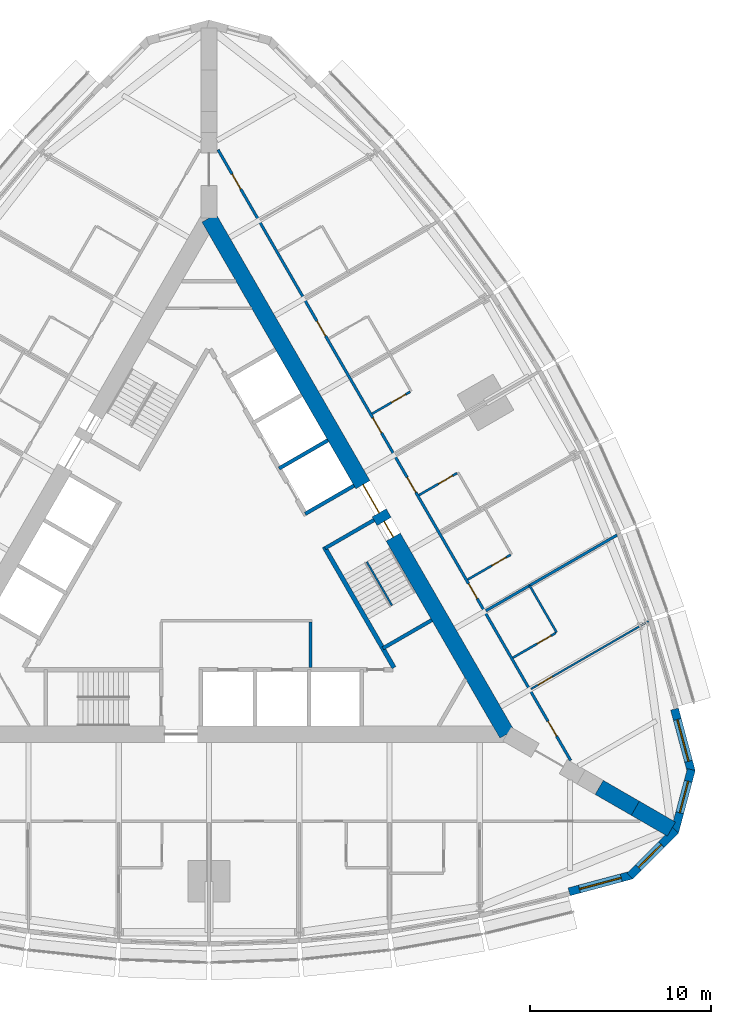
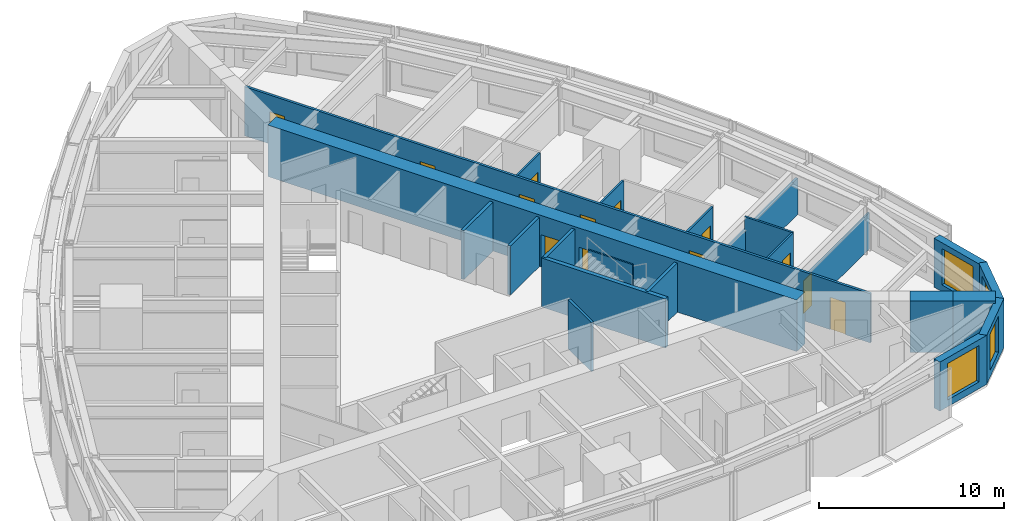
# One storey, part 11 of 14: 22 walls, 13 doors, 4 windows, 17 openings.
"""IFC4 building model written with IfcOpenShell, lengths in metres."""

from ifc_helpers import new_model, si_unit, direction, frame, frame_2d, origin, place, context, subcontext, project, spatial, polyline, rectangle, outline, extrude, material, layer, layer_set, type_object, element, fill, save


model = new_model("IFC4")

# Units and contexts
model_context = context("Model", 3, precision=1e-05, world=origin(), true_north=direction((0.0, 1.0)))
body_context = subcontext(model_context, "Body", "Model", "MODEL_VIEW")
ifc_project = project(units=[si_unit("LENGTHUNIT", "METRE"), si_unit("AREAUNIT", "SQUARE_METRE"), si_unit("VOLUMEUNIT", "CUBIC_METRE"), si_unit("PLANEANGLEUNIT", "RADIAN"), si_unit("MASSUNIT", "GRAM", prefix="KILO")], contexts=[model_context])

# Site, building, storey
site_placement = place(None, origin())
site = spatial("IfcSite", under=ifc_project, at=site_placement, CompositionType="ELEMENT")
building_placement = place(site_placement, origin())
building = spatial("IfcBuilding", under=site, at=building_placement, Name="Trikona Tower", CompositionType="ELEMENT")
storey_placement = place(building_placement, frame((0.0, 0.0, 141.89990234375)))
storey = spatial("IfcBuildingStorey", under=building, at=storey_placement, Name="L37", CompositionType="ELEMENT", Elevation=141.89990234375)

# Wall
ifc_material_1 = material(Name="Metal stud and cement board", Category="gypsum")
ifc_layer_1 = layer(ifc_material_1, 0.1201171875)
ifc_layer_set_1 = layer_set([ifc_layer_1], Name="Bathroom wall 120")
wall_type_1 = type_object("IfcWallType", Name="Bathroom wall 120", PredefinedType="PLUMBINGWALL", material=ifc_layer_set_1)
wall_1_placement = place(storey_placement, frame((19.25341796875, -3.895263671875, 0.0), z_axis=(0.0, 0.0, 1.0), x_axis=(-0.499990139034, 0.866031096941, 0.0)))
element("IfcWall", 1, at=wall_1_placement, inside=storey, type_object=wall_type_1, Name="Bathroom wall 3705.1", PredefinedType="PLUMBINGWALL", context=body_context, shape_type="SweptSolid", body=[
    extrude(rectangle(XDim=3.0, YDim=0.1201171875, at=frame_2d((1.5, 0.0))), origin(), (0.0, 0.0, 1.0), 3.235107421875),
])

# Wall, opening, door
wall_2_placement = place(storey_placement, frame((16.82861328125, -5.295166015625, 0.0), z_axis=(0.0, 0.0, 1.0), x_axis=(0.866035715982, 0.499982138324, 0.0)))
wall_2 = element("IfcWall", 2, at=wall_2_placement, inside=storey, type_object=wall_type_1, Name="Bathroom wall 3705.1", PredefinedType="PLUMBINGWALL", context=body_context, shape_type="SweptSolid", body=[
    extrude(rectangle(XDim=2.73974609375, YDim=0.1201171875, at=frame_2d((1.369873046875, 0.0))), origin(), (0.0, 0.0, 1.0), 3.235107421875),
])
opening_1_placement = place(wall_2_placement, frame((1.550048828125, 0.0, 0.0)))
opening_1 = element("IfcOpeningElement", 3, at=opening_1_placement, cuts=wall_2, Name="Opening D2", PredefinedType="OPENING", context=body_context, shape_type="SweptSolid", body=[
    extrude(rectangle(XDim=0.89990234375, YDim=2.1298828125, at=frame_2d((0.449951171875, 1.06494140625))), frame((0.0, 0.070068359375, 0.0), z_axis=(0.0, -1.0, 0.0), x_axis=(1.0, 0.0, 0.0)), (0.0, 0.0, 1.0), 0.14013671875),
])
ifc_material_2 = material(Name="Steel door frame with solid-core timber leaf", Category="steel")
door_type_1 = type_object("IfcDoorType", Name="Bathroom door 900x2130", OperationType="SLIDING_TO_LEFT", PredefinedType="DOOR", material=ifc_material_2)
door_1_placement = place(opening_1_placement, origin())
door_1 = element("IfcDoor", 4, at=door_1_placement, inside=storey, type_object=door_type_1, Name="Bathroom door 3705.1", OperationType="SLIDING_TO_LEFT", OverallHeight=2.1298828125, OverallWidth=0.89990234375, PredefinedType="DOOR", context=body_context, shape_type="SweptSolid", body=[
    extrude(rectangle(XDim=0.89990234375, YDim=2.1298828125, at=frame_2d((0.449951171875, 1.06494140625))), frame((0.0, 0.02490234375, 0.0), z_axis=(0.0, -1.0, 0.0), x_axis=(1.0, 0.0, 0.0)), (0.0, 0.0, 1.0), 0.050048828125),
])
fill(opening_1, door_1)

wall_3_placement = place(storey_placement, frame((14.32861328125, -0.965087890625, 0.0), z_axis=(0.0, 0.0, 1.0), x_axis=(0.866035715982, 0.499982138324, 0.0)))
wall_3 = element("IfcWall", 5, at=wall_3_placement, inside=storey, type_object=wall_type_1, Name="Bathroom wall 3706", PredefinedType="PLUMBINGWALL", context=body_context, shape_type="SweptSolid", body=[
    extrude(rectangle(XDim=2.73974609375, YDim=0.1201171875, at=frame_2d((1.369873046875, 0.0))), origin(), (0.0, 0.0, 1.0), 3.235107421875),
])
opening_2_placement = place(wall_3_placement, frame((1.550048828125, 0.0, 0.0)))
opening_2 = element("IfcOpeningElement", 6, at=opening_2_placement, cuts=wall_3, Name="Opening D2", PredefinedType="OPENING", context=body_context, shape_type="SweptSolid", body=[
    extrude(rectangle(XDim=0.89990234375, YDim=2.1298828125, at=frame_2d((0.449951171875, 1.06494140625))), frame((0.0, 0.070068359375, 0.0), z_axis=(0.0, -1.0, 0.0), x_axis=(1.0, 0.0, 0.0)), (0.0, 0.0, 1.0), 0.14013671875),
])
door_2_placement = place(opening_2_placement, origin())
door_2 = element("IfcDoor", 7, at=door_2_placement, inside=storey, type_object=door_type_1, Name="Bathroom door 3706", OperationType="SLIDING_TO_LEFT", OverallHeight=2.1298828125, OverallWidth=0.89990234375, PredefinedType="DOOR", context=body_context, shape_type="SweptSolid", body=[
    extrude(rectangle(XDim=0.89990234375, YDim=2.1298828125, at=frame_2d((0.449951171875, 1.06494140625))), frame((0.0, 0.02490234375, 0.0), z_axis=(0.0, -1.0, 0.0), x_axis=(1.0, 0.0, 0.0)), (0.0, 0.0, 1.0), 0.050048828125),
])
fill(opening_2, door_2)

wall_4_placement = place(storey_placement, frame((11.62841796875, 3.71142578125, 0.0), z_axis=(0.0, 0.0, 1.0), x_axis=(0.866048967903, 0.499959183527, 0.0)))
wall_4 = element("IfcWall", 8, at=wall_4_placement, inside=storey, type_object=wall_type_1, Name="Bathroom wall 3707", PredefinedType="PLUMBINGWALL", context=body_context, shape_type="SweptSolid", body=[
    extrude(rectangle(XDim=2.440185546875, YDim=0.1201171875, at=frame_2d((1.22021484375, 0.0))), origin(), (0.0, 0.0, 1.0), 3.235107421875),
])
opening_3_placement = place(wall_4_placement, frame((1.25, 0.0, 0.0)))
opening_3 = element("IfcOpeningElement", 9, at=opening_3_placement, cuts=wall_4, Name="Opening D2", PredefinedType="OPENING", context=body_context, shape_type="SweptSolid", body=[
    extrude(rectangle(XDim=0.89990234375, YDim=2.1298828125, at=frame_2d((0.449951171875, 1.06494140625))), frame((0.0, 0.070068359375, 0.0), z_axis=(0.0, -1.0, 0.0), x_axis=(1.0, 0.0, 0.0)), (0.0, 0.0, 1.0), 0.14013671875),
])
door_3_placement = place(opening_3_placement, origin())
door_3 = element("IfcDoor", 10, at=door_3_placement, inside=storey, type_object=door_type_1, Name="Bathroom door 3707", OperationType="SLIDING_TO_LEFT", OverallHeight=2.1298828125, OverallWidth=0.89990234375, PredefinedType="DOOR", context=body_context, shape_type="SweptSolid", body=[
    extrude(rectangle(XDim=0.89990234375, YDim=2.1298828125, at=frame_2d((0.449951171875, 1.06494140625))), frame((0.0, 0.02490234375, 0.0), z_axis=(0.0, -1.0, 0.0), x_axis=(1.0, 0.0, 0.0)), (0.0, 0.0, 1.0), 0.050048828125),
])
fill(opening_3, door_3)

wall_5_placement = place(storey_placement, frame((9.028564453125, 8.21484375, 0.0), z_axis=(0.0, 0.0, 1.0), x_axis=(0.866023955769, 0.500002508028, 0.0)))
wall_5 = element("IfcWall", 11, at=wall_5_placement, inside=storey, type_object=wall_type_1, Name="Bathroom wall 3708", PredefinedType="PLUMBINGWALL", context=body_context, shape_type="SweptSolid", body=[
    extrude(rectangle(XDim=2.43994140625, YDim=0.1201171875, at=frame_2d((1.219970703125, 0.0))), origin(), (0.0, 0.0, 1.0), 3.235107421875),
])
opening_4_placement = place(wall_5_placement, frame((1.25, 0.0, 0.0)))
opening_4 = element("IfcOpeningElement", 12, at=opening_4_placement, cuts=wall_5, Name="Opening D2", PredefinedType="OPENING", context=body_context, shape_type="SweptSolid", body=[
    extrude(rectangle(XDim=0.89990234375, YDim=2.1298828125, at=frame_2d((0.449951171875, 1.06494140625))), frame((0.0, 0.070068359375, 0.0), z_axis=(0.0, -1.0, 0.0), x_axis=(1.0, 0.0, 0.0)), (0.0, 0.0, 1.0), 0.14013671875),
])
door_4_placement = place(opening_4_placement, origin())
door_4 = element("IfcDoor", 13, at=door_4_placement, inside=storey, type_object=door_type_1, Name="Bathroom door 3708", OperationType="SLIDING_TO_LEFT", OverallHeight=2.1298828125, OverallWidth=0.89990234375, PredefinedType="DOOR", context=body_context, shape_type="SweptSolid", body=[
    extrude(rectangle(XDim=0.89990234375, YDim=2.1298828125, at=frame_2d((0.449951171875, 1.06494140625))), frame((0.0, 0.02490234375, 0.0), z_axis=(0.0, -1.0, 0.0), x_axis=(1.0, 0.0, 0.0)), (0.0, 0.0, 1.0), 0.050048828125),
])
fill(opening_4, door_4)

# Wall, opening, window
ifc_material_3 = material(Name="Brick-faced precast concrete", Category="masonry")
ifc_layer_2 = layer(ifc_material_3, 0.449951171875)
ifc_layer_set_2 = layer_set([ifc_layer_2], Name="Brick-faced corner wall 450")
wall_type_2 = type_object("IfcWallType", Name="Brick-faced corner wall 450", PredefinedType="SOLIDWALL", material=ifc_layer_set_2)
wall_6_placement = place(storey_placement, frame((19.94189453125, -18.2578125, 0.0), z_axis=(0.0, 0.0, 1.0), x_axis=(0.965924653531, 0.258823421857, 0.0)))
wall_6 = element("IfcWall", 14, at=wall_6_placement, inside=storey, type_object=wall_type_2, Name="External wall L37-08", PredefinedType="SOLIDWALL", context=body_context, shape_type="SweptSolid", body=[
    extrude(rectangle(XDim=3.58642578125, YDim=0.449951171875, at=frame_2d((1.793212890625, 0.0))), origin(), (0.0, 0.0, 1.0), 3.235107421875),
])
opening_5_placement = place(wall_6_placement, frame((0.593017578125, 0.0, 0.449951171875)))
opening_5 = element("IfcOpeningElement", 15, at=opening_5_placement, cuts=wall_6, Name="Opening W2424", PredefinedType="OPENING", context=body_context, shape_type="SweptSolid", body=[
    extrude(rectangle(XDim=2.39990234375, YDim=2.39990234375, at=frame_2d((1.199951171875, 1.199951171875))), frame((0.0, 0.23486328125, 0.0), z_axis=(0.0, -1.0, 0.0), x_axis=(1.0, 0.0, 0.0)), (0.0, 0.0, 1.0), 0.469970703125),
])
ifc_material_4 = material(Name="Aluminium-framed double glazing", Category="aluminium")
window_type_1 = type_object("IfcWindowType", Name="Window 2400x2400", PartitioningType="SINGLE_PANEL", PredefinedType="WINDOW", material=ifc_material_4)
window_1_placement = place(opening_5_placement, origin())
window_1 = element("IfcWindow", 16, at=window_1_placement, inside=storey, type_object=window_type_1, Name="Window 3704", OverallHeight=2.39990234375, OverallWidth=2.39990234375, PartitioningType="SINGLE_PANEL", PredefinedType="WINDOW", context=body_context, shape_type="SweptSolid", body=[
    extrude(rectangle(XDim=2.39990234375, YDim=2.39990234375, at=frame_2d((1.199951171875, 1.199951171875))), frame((0.0, 0.030029296875, 0.0), z_axis=(0.0, -1.0, 0.0), x_axis=(1.0, 0.0, 0.0)), (0.0, 0.0, 1.0), 0.06005859375),
])
fill(opening_5, window_1)

wall_7_placement = place(storey_placement, frame((23.304931640625, -17.387939453125, 0.0), z_axis=(0.0, 0.0, 1.0), x_axis=(0.707106781187, 0.707106781187, 0.0)))
wall_7 = element("IfcWall", 17, at=wall_7_placement, inside=storey, type_object=wall_type_2, Name="External wall L37-09", PredefinedType="SOLIDWALL", context=body_context, shape_type="SweptSolid", body=[
    extrude(outline(polyline([(3.586181640625, 0.22509765625), (3.527099609375, 0.22509765625), (3.03515625, 0.09326171875), (3.0, 0.22509765625), (0.0, 0.22509765625), (0.0, -0.22509765625), (3.586181640625, -0.22509765625), (3.586181640625, 0.22509765625)])), origin(), (0.0, 0.0, 1.0), 3.235107421875),
])
opening_6_placement = place(wall_7_placement, frame((0.6748046875, 0.0, 0.449951171875)))
opening_6 = element("IfcOpeningElement", 18, at=opening_6_placement, cuts=wall_7, Name="Opening W1824", PredefinedType="OPENING", context=body_context, shape_type="SweptSolid", body=[
    extrude(rectangle(XDim=1.800048828125, YDim=2.39990234375, at=frame_2d((0.89990234375, 1.199951171875))), frame((0.0, 0.23486328125, 0.0), z_axis=(0.0, -1.0, 0.0), x_axis=(1.0, 0.0, 0.0)), (0.0, 0.0, 1.0), 0.469970703125),
])
ifc_material_5 = material(Name="Aluminium-framed double glazing", Category="aluminium")
window_type_2 = type_object("IfcWindowType", Name="Window 1800x2400", PartitioningType="SINGLE_PANEL", PredefinedType="WINDOW", material=ifc_material_5)
window_2_placement = place(opening_6_placement, origin())
window_2 = element("IfcWindow", 19, at=window_2_placement, inside=storey, type_object=window_type_2, Name="Window 3704", OverallHeight=2.39990234375, OverallWidth=1.800048828125, PartitioningType="SINGLE_PANEL", PredefinedType="WINDOW", context=body_context, shape_type="SweptSolid", body=[
    extrude(rectangle(XDim=1.800048828125, YDim=2.39990234375, at=frame_2d((0.89990234375, 1.199951171875))), frame((0.0, 0.030029296875, 0.0), z_axis=(0.0, -1.0, 0.0), x_axis=(1.0, 0.0, 0.0)), (0.0, 0.0, 1.0), 0.06005859375),
])
fill(opening_6, window_2)

wall_8_placement = place(storey_placement, frame((25.78271484375, -14.952880859375, 0.0), z_axis=(0.0, 0.0, 1.0), x_axis=(0.258823421857, 0.965924653531, 0.0)))
wall_8 = element("IfcWall", 20, at=wall_8_placement, inside=storey, type_object=wall_type_2, Name="External wall L37-10", PredefinedType="SOLIDWALL", context=body_context, shape_type="SweptSolid", body=[
    extrude(outline(polyline([(3.58642578125, 0.22509765625), (0.58642578125, 0.22509765625), (0.551025390625, 0.09326171875), (0.0595703125, 0.22509765625), (0.0, 0.22509765625), (0.0, -0.22509765625), (3.58642578125, -0.22509765625), (3.58642578125, 0.22509765625)])), origin(), (0.0, 0.0, 1.0), 3.235107421875),
])
opening_7_placement = place(wall_8_placement, frame((1.111328125, 0.0, 0.449951171875)))
opening_7 = element("IfcOpeningElement", 21, at=opening_7_placement, cuts=wall_8, Name="Opening W1824", PredefinedType="OPENING", context=body_context, shape_type="SweptSolid", body=[
    extrude(rectangle(XDim=1.800048828125, YDim=2.39990234375, at=frame_2d((0.89990234375, 1.199951171875))), frame((0.0, 0.23486328125, 0.0), z_axis=(0.0, -1.0, 0.0), x_axis=(1.0, 0.0, 0.0)), (0.0, 0.0, 1.0), 0.469970703125),
])
window_3_placement = place(opening_7_placement, origin())
window_3 = element("IfcWindow", 22, at=window_3_placement, inside=storey, type_object=window_type_2, Name="Window 3705", OverallHeight=2.39990234375, OverallWidth=1.800048828125, PartitioningType="SINGLE_PANEL", PredefinedType="WINDOW", context=body_context, shape_type="SweptSolid", body=[
    extrude(rectangle(XDim=1.800048828125, YDim=2.39990234375, at=frame_2d((0.89990234375, 1.199951171875))), frame((0.0, 0.030029296875, 0.0), z_axis=(0.0, -1.0, 0.0), x_axis=(1.0, 0.0, 0.0)), (0.0, 0.0, 1.0), 0.06005859375),
])
fill(opening_7, window_3)

wall_9_placement = place(storey_placement, frame((26.7109375, -11.605224609375, 0.0), z_axis=(0.0, 0.0, 1.0), x_axis=(-0.258823421857, 0.965924653531, 0.0)))
wall_9 = element("IfcWall", 23, at=wall_9_placement, inside=storey, type_object=wall_type_2, Name="External wall L37-11", PredefinedType="SOLIDWALL", context=body_context, shape_type="SweptSolid", body=[
    extrude(rectangle(XDim=3.58642578125, YDim=0.449951171875, at=frame_2d((1.793212890625, 0.0))), origin(), (0.0, 0.0, 1.0), 3.235107421875),
])
opening_8_placement = place(wall_9_placement, frame((0.593017578125, 0.0, 0.449951171875)))
opening_8 = element("IfcOpeningElement", 24, at=opening_8_placement, cuts=wall_9, Name="Opening W2424", PredefinedType="OPENING", context=body_context, shape_type="SweptSolid", body=[
    extrude(rectangle(XDim=2.39990234375, YDim=2.39990234375, at=frame_2d((1.199951171875, 1.199951171875))), frame((0.0, 0.23486328125, 0.0), z_axis=(0.0, -1.0, 0.0), x_axis=(1.0, 0.0, 0.0)), (0.0, 0.0, 1.0), 0.469970703125),
])
window_4_placement = place(opening_8_placement, origin())
window_4 = element("IfcWindow", 25, at=window_4_placement, inside=storey, type_object=window_type_1, Name="Window 3705", OverallHeight=2.39990234375, OverallWidth=2.39990234375, PartitioningType="SINGLE_PANEL", PredefinedType="WINDOW", context=body_context, shape_type="SweptSolid", body=[
    extrude(rectangle(XDim=2.39990234375, YDim=2.39990234375, at=frame_2d((1.199951171875, 1.199951171875))), frame((0.0, 0.030029296875, 0.0), z_axis=(0.0, -1.0, 0.0), x_axis=(1.0, 0.0, 0.0)), (0.0, 0.0, 1.0), 0.06005859375),
])
fill(opening_8, window_4)

# Walls
ifc_material_6 = material(Name="Concrete f'c 10000 psi", Category="concrete")
ifc_layer_3 = layer(ifc_material_6, 0.89990234375)
ifc_layer_set_3 = layer_set([ifc_layer_3], Name="Buttress wall 900")
wall_type_3 = type_object("IfcWallType", Name="Buttress wall 900", PredefinedType="SHEAR", material=ifc_layer_set_3)
for number, where, z_axis, x_axis, name in (
    (26, (21.6103515625, -12.476806640625, 0.0), (0.0, 0.0, 1.0), (0.866055313784, -0.499948190782, 0.0), "Buttress wall 1 part 3"),
    (27, (23.6103515625, -13.63134765625, 0.0), (0.0, 0.0, 1.0), (0.866009537788, -0.500027479704, 0.0), "Buttress wall 1 part 4"),
):
    element("IfcWall", number, at=place(storey_placement, frame(where, z_axis=z_axis, x_axis=x_axis)), inside=storey, type_object=wall_type_3, Name=name, PredefinedType="SHEAR", context=body_context, shape_type="SweptSolid", body=[
        extrude(rectangle(XDim=2.309326171875, YDim=0.89990234375, at=frame_2d((1.15478515625, 0.0))), origin(), (0.0, 0.0, 1.0), 3.400146484375),
    ])

# Wall, openings, doors
ifc_material_7 = material(Name="Concrete f'c 10000 psi", Category="concrete")
ifc_layer_4 = layer(ifc_material_7, 0.89990234375)
ifc_layer_set_4 = layer_set([ifc_layer_4], Name="Core wall 900")
wall_type_4 = type_object("IfcWallType", Name="Core wall 900", PredefinedType="SHEAR", material=ifc_layer_set_4)
wall_10_placement = place(storey_placement, frame((16.5, -9.5263671875, 0.0), z_axis=(0.0, 0.0, 1.0), x_axis=(-0.499999749417, 0.866025548458, 0.0)))
wall_10 = element("IfcWall", 28, at=wall_10_placement, inside=storey, type_object=wall_type_4, Name="Core wall B", PredefinedType="SHEAR", context=body_context, shape_type="SweptSolid", body=[
    extrude(rectangle(XDim=33.0, YDim=0.89990234375, at=frame_2d((16.5, 0.0))), origin(), (0.0, 0.0, 1.0), 3.400146484375),
])
opening_9_placement = place(wall_10_placement, frame((14.14990234375, 0.0, 0.0)))
opening_9 = element("IfcOpeningElement", 29, at=opening_9_placement, cuts=wall_10, Name="Opening D6", PredefinedType="OPENING", context=body_context, shape_type="SweptSolid", body=[
    extrude(rectangle(XDim=1.800048828125, YDim=2.1298828125, at=frame_2d((0.89990234375, 1.06494140625))), frame((0.0, 0.4599609375, 0.0), z_axis=(0.0, -1.0, 0.0), x_axis=(1.0, 0.0, 0.0)), (0.0, 0.0, 1.0), 0.919921875),
])
opening_10_placement = place(wall_10_placement, frame((12.60009765625, 0.0, 0.0)))
opening_10 = element("IfcOpeningElement", 30, at=opening_10_placement, cuts=wall_10, Name="Opening D5", PredefinedType="OPENING", context=body_context, shape_type="SweptSolid", body=[
    extrude(rectangle(XDim=1.0, YDim=2.1298828125, at=frame_2d((0.5, 1.06494140625))), frame((0.0, 0.4599609375, 0.0), z_axis=(0.0, -1.0, 0.0), x_axis=(1.0, 0.0, 0.0)), (0.0, 0.0, 1.0), 0.919921875),
])
ifc_material_8 = material(Name="Hollow metal door and frame", Category="steel")
door_type_2 = type_object("IfcDoorType", Name="Lobby door pair 1800x2130", OperationType="DOUBLE_DOOR_SINGLE_SWING", PredefinedType="DOOR", material=ifc_material_8)
door_5_placement = place(opening_9_placement, origin())
door_5 = element("IfcDoor", 31, at=door_5_placement, inside=storey, type_object=door_type_2, Name="Lift lobby door B", OperationType="DOUBLE_DOOR_SINGLE_SWING", OverallHeight=2.1298828125, OverallWidth=1.800048828125, PredefinedType="DOOR", context=body_context, shape_type="SweptSolid", body=[
    extrude(rectangle(XDim=1.800048828125, YDim=2.1298828125, at=frame_2d((0.89990234375, 1.06494140625))), frame((0.0, 0.02490234375, 0.0), z_axis=(0.0, -1.0, 0.0), x_axis=(1.0, 0.0, 0.0)), (0.0, 0.0, 1.0), 0.050048828125),
])
fill(opening_9, door_5)
ifc_material_9 = material(Name="Hollow metal door and frame", Category="steel")
door_type_3 = type_object("IfcDoorType", Name="Stair door 1000x2130", OperationType="SINGLE_SWING_LEFT", PredefinedType="DOOR", material=ifc_material_9)
door_6_placement = place(opening_10_placement, origin())
door_6 = element("IfcDoor", 32, at=door_6_placement, inside=storey, type_object=door_type_3, Name="Stair B door", OperationType="SINGLE_SWING_RIGHT", OverallHeight=2.1298828125, OverallWidth=1.0, PredefinedType="DOOR", context=body_context, shape_type="SweptSolid", body=[
    extrude(rectangle(XDim=1.0, YDim=2.1298828125, at=frame_2d((0.5, 1.06494140625))), frame((0.0, 0.02490234375, 0.0), z_axis=(0.0, -1.0, 0.0), x_axis=(1.0, 0.0, 0.0)), (0.0, 0.0, 1.0), 0.050048828125),
])
fill(opening_10, door_6)

ifc_material_10 = material(Name="Metal stud and gypsum board, 1-hour", Category="gypsum")
ifc_layer_5 = layer(ifc_material_10, 0.14990234375)
ifc_layer_set_5 = layer_set([ifc_layer_5], Name="Corridor wall 150")
wall_type_5 = type_object("IfcWallType", Name="Corridor wall 150", PredefinedType="PARTITIONING", material=ifc_layer_set_5)
wall_11_placement = place(storey_placement, frame((20.027099609375, -10.9853515625, 0.0), z_axis=(0.0, 0.0, 1.0), x_axis=(-0.500001677587, 0.866024435227, 0.0)))
wall_11 = element("IfcWall", 33, at=wall_11_placement, inside=storey, type_object=wall_type_5, Name="Corridor wall L37-2", PredefinedType="PARTITIONING", context=body_context, shape_type="SweptSolid", body=[
    extrude(rectangle(XDim=39.053955078125, YDim=0.14990234375, at=frame_2d((19.52685546875, 0.0))), origin(), (0.0, 0.0, 1.0), 3.235107421875),
])
opening_11_placement = place(wall_11_placement, frame((1.558349609375, 0.0, 0.0)))
opening_11 = element("IfcOpeningElement", 34, at=opening_11_placement, cuts=wall_11, Name="Opening D1", PredefinedType="OPENING", context=body_context, shape_type="SweptSolid", body=[
    extrude(rectangle(XDim=0.949951171875, YDim=2.1298828125, at=frame_2d((0.47509765625, 1.06494140625))), frame((0.0, 0.0849609375, 0.0), z_axis=(0.0, -1.0, 0.0), x_axis=(1.0, 0.0, 0.0)), (0.0, 0.0, 1.0), 0.169921875),
])
opening_12_placement = place(wall_11_placement, frame((10.35205078125, 0.0, 0.0)))
opening_12 = element("IfcOpeningElement", 35, at=opening_12_placement, cuts=wall_11, Name="Opening D1", PredefinedType="OPENING", context=body_context, shape_type="SweptSolid", body=[
    extrude(rectangle(XDim=0.949951171875, YDim=2.1298828125, at=frame_2d((0.47509765625, 1.06494140625))), frame((0.0, 0.0849609375, 0.0), z_axis=(0.0, -1.0, 0.0), x_axis=(1.0, 0.0, 0.0)), (0.0, 0.0, 1.0), 0.169921875),
])
opening_13_placement = place(wall_11_placement, frame((17.152099609375, 0.0, 0.0)))
opening_13 = element("IfcOpeningElement", 36, at=opening_13_placement, cuts=wall_11, Name="Opening D1", PredefinedType="OPENING", context=body_context, shape_type="SweptSolid", body=[
    extrude(rectangle(XDim=0.949951171875, YDim=2.1298828125, at=frame_2d((0.47509765625, 1.06494140625))), frame((0.0, 0.0849609375, 0.0), z_axis=(0.0, -1.0, 0.0), x_axis=(1.0, 0.0, 0.0)), (0.0, 0.0, 1.0), 0.169921875),
])
opening_14_placement = place(wall_11_placement, frame((20.951904296875, 0.0, 0.0)))
opening_14 = element("IfcOpeningElement", 37, at=opening_14_placement, cuts=wall_11, Name="Opening D1", PredefinedType="OPENING", context=body_context, shape_type="SweptSolid", body=[
    extrude(rectangle(XDim=0.949951171875, YDim=2.1298828125, at=frame_2d((0.47509765625, 1.06494140625))), frame((0.0, 0.0849609375, 0.0), z_axis=(0.0, -1.0, 0.0), x_axis=(1.0, 0.0, 0.0)), (0.0, 0.0, 1.0), 0.169921875),
])
opening_15_placement = place(wall_11_placement, frame((27.152099609375, 0.0, 0.0)))
opening_15 = element("IfcOpeningElement", 38, at=opening_15_placement, cuts=wall_11, Name="Opening D1", PredefinedType="OPENING", context=body_context, shape_type="SweptSolid", body=[
    extrude(rectangle(XDim=0.949951171875, YDim=2.1298828125, at=frame_2d((0.47509765625, 1.06494140625))), frame((0.0, 0.0849609375, 0.0), z_axis=(0.0, -1.0, 0.0), x_axis=(1.0, 0.0, 0.0)), (0.0, 0.0, 1.0), 0.169921875),
])
opening_16_placement = place(wall_11_placement, frame((36.545654296875, 0.0, 0.0)))
opening_16 = element("IfcOpeningElement", 39, at=opening_16_placement, cuts=wall_11, Name="Opening D1", PredefinedType="OPENING", context=body_context, shape_type="SweptSolid", body=[
    extrude(rectangle(XDim=0.949951171875, YDim=2.1298828125, at=frame_2d((0.47509765625, 1.06494140625))), frame((0.0, 0.0849609375, 0.0), z_axis=(0.0, -1.0, 0.0), x_axis=(1.0, 0.0, 0.0)), (0.0, 0.0, 1.0), 0.169921875),
])
ifc_material_11 = material(Name="Steel door frame with solid-core timber leaf", Category="steel")
door_type_4 = type_object("IfcDoorType", Name="Guest room door 950x2130", OperationType="SINGLE_SWING_LEFT", PredefinedType="DOOR", material=ifc_material_11)
door_7_placement = place(opening_11_placement, origin())
door_7 = element("IfcDoor", 40, at=door_7_placement, inside=storey, type_object=door_type_4, Name="Room door 3705", OperationType="SINGLE_SWING_LEFT", OverallHeight=2.1298828125, OverallWidth=0.949951171875, PredefinedType="DOOR", context=body_context, shape_type="SweptSolid", body=[
    extrude(rectangle(XDim=0.949951171875, YDim=2.1298828125, at=frame_2d((0.47509765625, 1.06494140625))), frame((0.0, 0.02490234375, 0.0), z_axis=(0.0, -1.0, 0.0), x_axis=(1.0, 0.0, 0.0)), (0.0, 0.0, 1.0), 0.050048828125),
])
fill(opening_11, door_7)
door_8_placement = place(opening_12_placement, origin())
door_8 = element("IfcDoor", 41, at=door_8_placement, inside=storey, type_object=door_type_4, Name="Room door 3706", OperationType="SINGLE_SWING_RIGHT", OverallHeight=2.1298828125, OverallWidth=0.949951171875, PredefinedType="DOOR", context=body_context, shape_type="SweptSolid", body=[
    extrude(rectangle(XDim=0.949951171875, YDim=2.1298828125, at=frame_2d((0.47509765625, 1.06494140625))), frame((0.0, 0.02490234375, 0.0), z_axis=(0.0, -1.0, 0.0), x_axis=(1.0, 0.0, 0.0)), (0.0, 0.0, 1.0), 0.050048828125),
])
fill(opening_12, door_8)
door_9_placement = place(opening_13_placement, origin())
door_9 = element("IfcDoor", 42, at=door_9_placement, inside=storey, type_object=door_type_4, Name="Room door 3707", OperationType="SINGLE_SWING_LEFT", OverallHeight=2.1298828125, OverallWidth=0.949951171875, PredefinedType="DOOR", context=body_context, shape_type="SweptSolid", body=[
    extrude(rectangle(XDim=0.949951171875, YDim=2.1298828125, at=frame_2d((0.47509765625, 1.06494140625))), frame((0.0, 0.02490234375, 0.0), z_axis=(0.0, -1.0, 0.0), x_axis=(1.0, 0.0, 0.0)), (0.0, 0.0, 1.0), 0.050048828125),
])
fill(opening_13, door_9)
door_10_placement = place(opening_14_placement, origin())
door_10 = element("IfcDoor", 43, at=door_10_placement, inside=storey, type_object=door_type_4, Name="Room door 3708", OperationType="SINGLE_SWING_RIGHT", OverallHeight=2.1298828125, OverallWidth=0.949951171875, PredefinedType="DOOR", context=body_context, shape_type="SweptSolid", body=[
    extrude(rectangle(XDim=0.949951171875, YDim=2.1298828125, at=frame_2d((0.47509765625, 1.06494140625))), frame((0.0, 0.02490234375, 0.0), z_axis=(0.0, -1.0, 0.0), x_axis=(1.0, 0.0, 0.0)), (0.0, 0.0, 1.0), 0.050048828125),
])
fill(opening_14, door_10)
door_11_placement = place(opening_15_placement, origin())
door_11 = element("IfcDoor", 44, at=door_11_placement, inside=storey, type_object=door_type_4, Name="Room door 3709", OperationType="SINGLE_SWING_LEFT", OverallHeight=2.1298828125, OverallWidth=0.949951171875, PredefinedType="DOOR", context=body_context, shape_type="SweptSolid", body=[
    extrude(rectangle(XDim=0.949951171875, YDim=2.1298828125, at=frame_2d((0.47509765625, 1.06494140625))), frame((0.0, 0.02490234375, 0.0), z_axis=(0.0, -1.0, 0.0), x_axis=(1.0, 0.0, 0.0)), (0.0, 0.0, 1.0), 0.050048828125),
])
fill(opening_15, door_11)
door_12_placement = place(opening_16_placement, origin())
door_12 = element("IfcDoor", 45, at=door_12_placement, inside=storey, type_object=door_type_4, Name="Room door 3710", OperationType="SINGLE_SWING_RIGHT", OverallHeight=2.1298828125, OverallWidth=0.949951171875, PredefinedType="DOOR", context=body_context, shape_type="SweptSolid", body=[
    extrude(rectangle(XDim=0.949951171875, YDim=2.1298828125, at=frame_2d((0.47509765625, 1.06494140625))), frame((0.0, 0.02490234375, 0.0), z_axis=(0.0, -1.0, 0.0), x_axis=(1.0, 0.0, 0.0)), (0.0, 0.0, 1.0), 0.050048828125),
])
fill(opening_16, door_12)

# Walls
ifc_material_12 = material(Name="Concrete f'c 8000 psi", Category="concrete")
ifc_layer_6 = layer(ifc_material_12, 0.25)
ifc_layer_set_6 = layer_set([ifc_layer_6], Name="Hub wall 250")
wall_type_6 = type_object("IfcWallType", Name="Hub wall 250", PredefinedType="SOLIDWALL", material=ifc_layer_set_6)
wall_12_placement = place(storey_placement, frame((10.245361328125, -5.843017578125, 0.0), z_axis=(0.0, 0.0, 1.0), x_axis=(-0.499993009313, 0.866029439822, 0.0)))
element("IfcWall", 46, at=wall_12_placement, inside=storey, type_object=wall_type_6, Name="Lift lobby wall B1", PredefinedType="SOLIDWALL", context=body_context, shape_type="SweptSolid", body=[
    extrude(rectangle(XDim=7.73291015625, YDim=0.25, at=frame_2d((3.866455078125, 0.0))), origin(), (0.0, 0.0, 1.0), 3.235107421875),
])
ifc_material_13 = material(Name="Metal stud and gypsum board, 2-hour shaft wall", Category="gypsum")
ifc_layer_7 = layer(ifc_material_13, 0.14990234375)
ifc_layer_set_7 = layer_set([ifc_layer_7], Name="Lobby wall 150")
wall_type_7 = type_object("IfcWallType", Name="Lobby wall 150", PredefinedType="PARTITIONING", material=ifc_layer_set_7)
wall_13_placement = place(storey_placement, frame((5.625, -5.826416015625, 0.0), z_axis=(0.0, 0.0, 1.0), x_axis=(0.0, 1.0, 0.0)))
element("IfcWall", 47, at=wall_13_placement, inside=storey, type_object=wall_type_7, Name="Fire service lift lobby wall 3", PredefinedType="PARTITIONING", context=body_context, shape_type="SweptSolid", body=[
    extrude(rectangle(XDim=2.5, YDim=0.14990234375, at=frame_2d((1.25, 0.0))), origin(), (0.0, 0.0, 1.0), 3.235107421875),
])
ifc_material_14 = material(Name="Metal stud and gypsum board, 1-hour acoustic", Category="gypsum")
ifc_layer_8 = layer(ifc_material_14, 0.14990234375)
ifc_layer_set_8 = layer_set([ifc_layer_8], Name="Party wall 150")
wall_type_8 = type_object("IfcWallType", Name="Party wall 150", PredefinedType="PARTITIONING", material=ifc_layer_set_8)
wall_14_placement = place(storey_placement, frame((15.32861328125, -2.697021484375, 0.0), z_axis=(0.0, 0.0, 1.0), x_axis=(0.866024316602, 0.50000188305, 0.0)))
element("IfcWall", 48, at=wall_14_placement, inside=storey, type_object=wall_type_8, Name="Partition L37 F2 u-10", PredefinedType="PARTITIONING", context=body_context, shape_type="SweptSolid", body=[
    extrude(rectangle(XDim=8.39501953125, YDim=0.14990234375, at=frame_2d((4.197509765625, 0.0))), origin(), (0.0, 0.0, 1.0), 2.389404296875),
])
ifc_material_15 = material(Name="Concrete f'c 8000 psi", Category="concrete")
ifc_layer_9 = layer(ifc_material_15, 0.199951171875)
ifc_layer_set_9 = layer_set([ifc_layer_9], Name="Shaft wall 200")
wall_type_9 = type_object("IfcWallType", Name="Shaft wall 200", PredefinedType="SOLIDWALL", material=ifc_layer_set_9)
for number, where, z_axis, x_axis, name in (
    (49, (5.3291015625, 2.672607421875, 0.0), (0.0, 0.0, 1.0), (0.866022959057, 0.500004234368, 0.0), "Shaft wall B3"),
    (50, (3.87890625, 5.18408203125, 0.0), (0.0, 0.0, 1.0), (0.866022959057, 0.500004234368, 0.0), "Shaft wall B4"),
):
    element("IfcWall", number, at=place(storey_placement, frame(where, z_axis=z_axis, x_axis=x_axis)), inside=storey, type_object=wall_type_9, Name=name, PredefinedType="SOLIDWALL", context=body_context, shape_type="SweptSolid", body=[
        extrude(rectangle(XDim=3.125, YDim=0.199951171875, at=frame_2d((1.5625, 0.0))), origin(), (0.0, 0.0, 1.0), 3.235107421875),
    ])
ifc_material_16 = material(Name="Concrete f'c 8000 psi", Category="concrete")
ifc_layer_10 = layer(ifc_material_16, 0.199951171875)
ifc_layer_set_10 = layer_set([ifc_layer_10], Name="Shaft wall 200 load-bearing")
wall_type_10 = type_object("IfcWallType", Name="Shaft wall 200 load-bearing", PredefinedType="SOLIDWALL", material=ifc_layer_set_10)
for number, where, z_axis, x_axis, name in (
    (51, (9.62890625, -4.775390625, 0.0), (0.0, 0.0, 1.0), (0.866022959057, 0.500004234368, 0.0), "Shaft wall B1"),
    (52, (6.428955078125, 0.767333984375, 0.0), (0.0, 0.0, 1.0), (0.866022959057, 0.500004234368, 0.0), "Shaft wall B2"),
):
    element("IfcWall", number, at=place(storey_placement, frame(where, z_axis=z_axis, x_axis=x_axis)), inside=storey, type_object=wall_type_10, Name=name, PredefinedType="SOLIDWALL", context=body_context, shape_type="SweptSolid", body=[
        extrude(rectangle(XDim=3.125, YDim=0.199951171875, at=frame_2d((1.5625, 0.0))), origin(), (0.0, 0.0, 1.0), 3.235107421875),
    ])
ifc_material_17 = material(Name="Concrete f'c 5000 psi", Category="concrete")
ifc_layer_11 = layer(ifc_material_17, 0.10009765625)
ifc_layer_set_11 = layer_set([ifc_layer_11], Name="Stair spine wall 100")
wall_type_11 = type_object("IfcWallType", Name="Stair spine wall 100", PredefinedType="SOLIDWALL", material=ifc_layer_set_11)
wall_15_placement = place(storey_placement, frame((10.134765625, -2.4013671875, 0.0), z_axis=(0.0, 0.0, 1.0), x_axis=(-0.499992232847, 0.866029888106, 0.0)))
element("IfcWall", 53, at=wall_15_placement, inside=storey, type_object=wall_type_11, Name="Stair B spine wall L37", PredefinedType="SOLIDWALL", context=body_context, shape_type="SweptSolid", body=[
    extrude(rectangle(XDim=2.7939453125, YDim=0.10009765625, at=frame_2d((1.39697265625, 0.0))), origin(), (0.0, 0.0, 1.0), 3.400146484375),
])

# Wall, opening, door
ifc_material_18 = material(Name="Metal stud and gypsum board, acoustic", Category="gypsum")
ifc_layer_12 = layer(ifc_material_18, 0.10009765625)
ifc_layer_set_12 = layer_set([ifc_layer_12], Name="Suite partition 100")
wall_type_12 = type_object("IfcWallType", Name="Suite partition 100", PredefinedType="PARTITIONING", material=ifc_layer_set_12)
wall_16_placement = place(storey_placement, frame((17.82861328125, -7.027099609375, 0.0), z_axis=(0.0, 0.0, 1.0), x_axis=(0.866029804378, 0.499992377871, 0.0)))
wall_16 = element("IfcWall", 54, at=wall_16_placement, inside=storey, type_object=wall_type_12, Name="Suite partition L37 F2 u-15", PredefinedType="PARTITIONING", context=body_context, shape_type="SweptSolid", body=[
    extrude(rectangle(XDim=7.51611328125, YDim=0.10009765625, at=frame_2d((3.758056640625, 0.0))), origin(), (0.0, 0.0, 1.0), 2.389404296875),
])
opening_17_placement = place(wall_16_placement, frame((0.449951171875, 0.0, 0.0)))
opening_17 = element("IfcOpeningElement", 55, at=opening_17_placement, cuts=wall_16, Name="Opening D13", PredefinedType="OPENING", context=body_context, shape_type="SweptSolid", body=[
    extrude(rectangle(XDim=0.89990234375, YDim=2.1298828125, at=frame_2d((0.449951171875, 1.06494140625))), frame((0.0, 0.06005859375, 0.0), z_axis=(0.0, -1.0, 0.0), x_axis=(1.0, 0.0, 0.0)), (0.0, 0.0, 1.0), 0.1201171875),
])
ifc_material_19 = material(Name="Steel door frame with solid-core timber leaf", Category="steel")
door_type_5 = type_object("IfcDoorType", Name="Suite door 900x2130", OperationType="SINGLE_SWING_LEFT", PredefinedType="DOOR", material=ifc_material_19)
door_13_placement = place(opening_17_placement, origin())
door_13 = element("IfcDoor", 56, at=door_13_placement, inside=storey, type_object=door_type_5, Name="Suite door 3705", OperationType="SINGLE_SWING_LEFT", OverallHeight=2.1298828125, OverallWidth=0.89990234375, PredefinedType="DOOR", context=body_context, shape_type="SweptSolid", body=[
    extrude(rectangle(XDim=0.89990234375, YDim=2.1298828125, at=frame_2d((0.449951171875, 1.06494140625))), frame((0.0, 0.02490234375, 0.0), z_axis=(0.0, -1.0, 0.0), x_axis=(1.0, 0.0, 0.0)), (0.0, 0.0, 1.0), 0.050048828125),
])
fill(opening_17, door_13)

save(model, "model.ifc")
